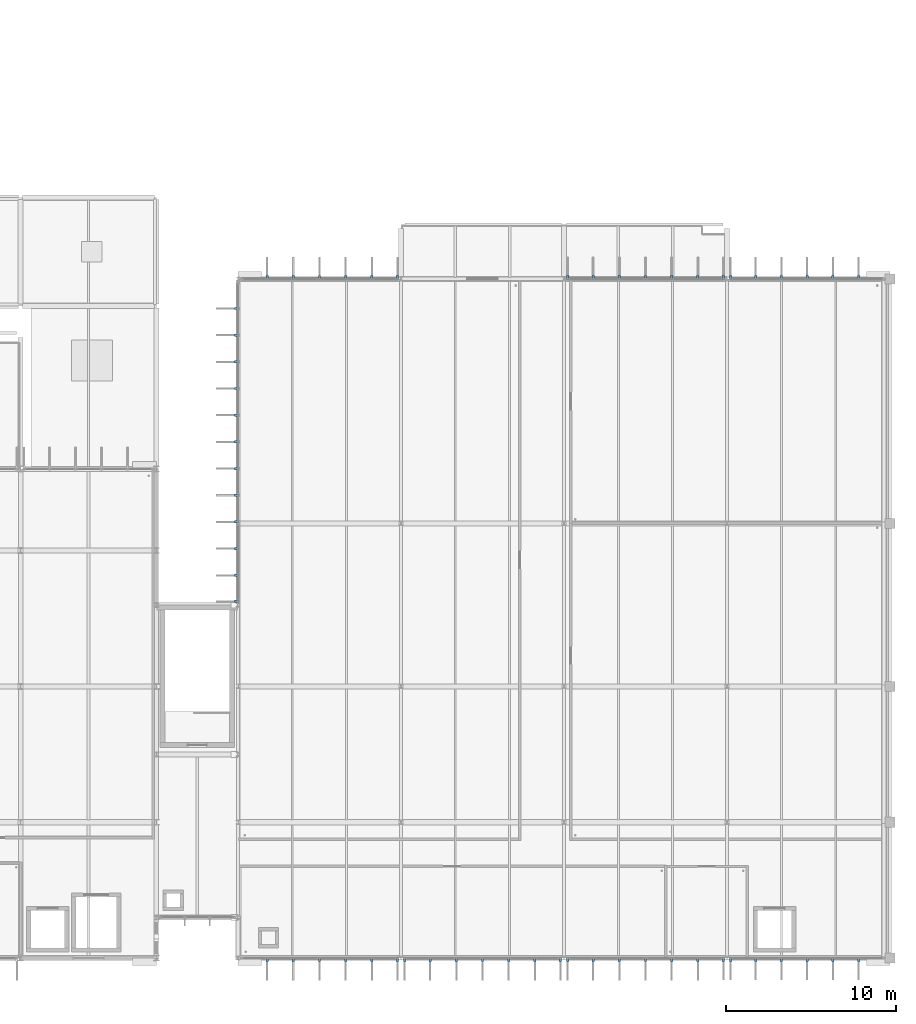
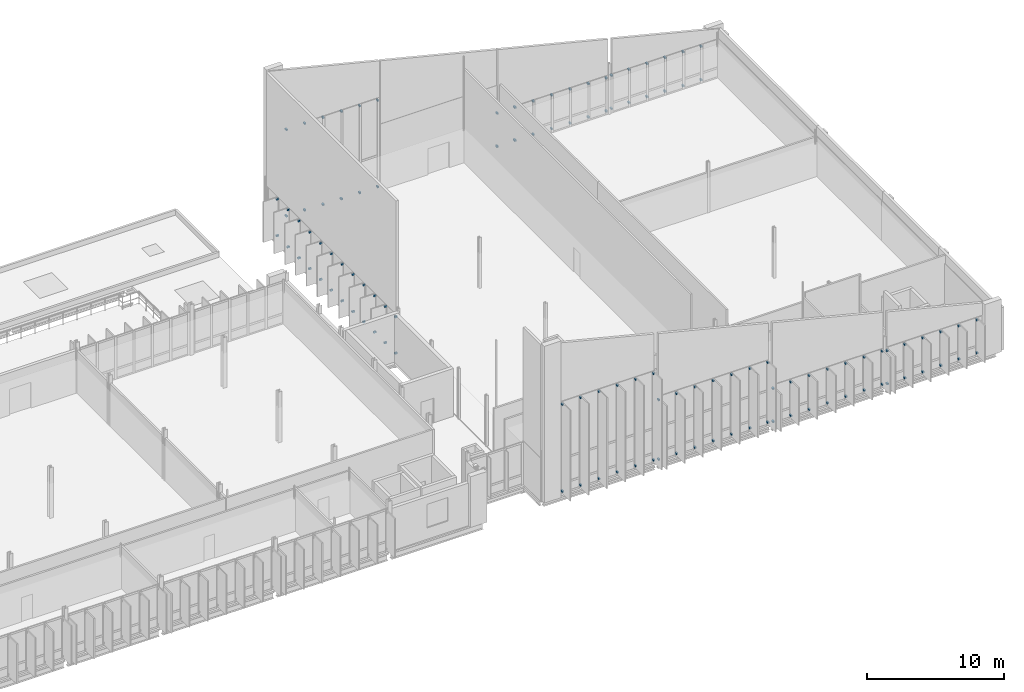
# One storey, part 100 of 110: 114 discrete accessories.
"""IFC4 building model written with IfcOpenShell, lengths in metres."""

from ifc_helpers import new_model, si_unit, direction, frame, origin, origin_2d, place, context, subcontext, project, spatial, rectangle, extrude, material, type_object, element, save


model = new_model("IFC4")

# Units and contexts
model_context = context("Model", 3, precision=1e-05, world=origin(), true_north=direction((0.0, 1.0)))
body_context = subcontext(model_context, "Body", "Model", "MODEL_VIEW")
ifc_project = project(units=[si_unit("LENGTHUNIT", "METRE"), si_unit("AREAUNIT", "SQUARE_METRE"), si_unit("VOLUMEUNIT", "CUBIC_METRE"), si_unit("PLANEANGLEUNIT", "RADIAN"), si_unit("MASSUNIT", "GRAM", prefix="KILO")], contexts=[model_context])

# Site, building, storey
site_placement = place(None, origin())
site = spatial("IfcSite", under=ifc_project, at=site_placement, CompositionType="ELEMENT")
building_placement = place(site_placement, origin())
building = spatial("IfcBuilding", under=site, at=building_placement, Name="Dunescarp Central Library", CompositionType="ELEMENT")
storey_placement = place(building_placement, frame((0.0, 0.0, 9.60009765625)))
storey = spatial("IfcBuildingStorey", under=building, at=storey_placement, Name="L02", CompositionType="ELEMENT", Elevation=9.60009765625)

# Discrete accessories
ifc_material = material(Name="Stainless steel Grade 316L", Category="steel")
discrete_accessory_type = type_object("IfcDiscreteAccessoryType", Name="ARC-ACC-BRK", PredefinedType="BRACKET", material=ifc_material)
for number, where, z_axis, x_axis, name in (
    (1, (138.985107421875, 4.719970703125, 0.27685546875), (0.0, 0.0, 1.0), (0.0, -1.0, 0.0), "Fin bracket BRK-FIN-L02-1030-B"),
    (2, (138.985107421875, 4.719970703125, 7.9697265625), (0.0, 0.0, 1.0), (0.0, -1.0, 0.0), "Fin bracket BRK-FIN-L02-1030-T"),
    (3, (137.48291015625, 4.719970703125, 0.2900390625), (0.0, 0.0, 1.0), (0.0, -1.0, 0.0), "Fin bracket BRK-FIN-L02-1031-B"),
    (4, (137.48291015625, 4.719970703125, 7.9697265625), (0.0, 0.0, 1.0), (0.0, -1.0, 0.0), "Fin bracket BRK-FIN-L02-1031-T"),
    (5, (135.94189453125, 4.719970703125, 0.27392578125), (0.0, 0.0, 1.0), (0.0, -1.0, 0.0), "Fin bracket BRK-FIN-L02-1032-B"),
    (6, (135.94189453125, 4.719970703125, 7.9697265625), (0.0, 0.0, 1.0), (0.0, -1.0, 0.0), "Fin bracket BRK-FIN-L02-1032-T"),
    (7, (134.39990234375, 4.719970703125, 0.23291015625), (0.0, 0.0, 1.0), (0.0, -1.0, 0.0), "Fin bracket BRK-FIN-L02-1033-B"),
    (8, (134.39990234375, 4.719970703125, 7.9697265625), (0.0, 0.0, 1.0), (0.0, -1.0, 0.0), "Fin bracket BRK-FIN-L02-1033-T"),
    (9, (132.85791015625, 4.719970703125, 0.18994140625), (0.0, 0.0, 1.0), (0.0, -1.0, 0.0), "Fin bracket BRK-FIN-L02-1034-B"),
    (10, (132.85791015625, 4.719970703125, 7.958984375), (0.0, 0.0, 1.0), (0.0, -1.0, 0.0), "Fin bracket BRK-FIN-L02-1034-T"),
    (11, (131.31689453125, 4.719970703125, 0.18994140625), (0.0, 0.0, 1.0), (0.0, -1.0, 0.0), "Fin bracket BRK-FIN-L02-1035-B"),
    (12, (131.31689453125, 4.719970703125, 7.9091796875), (0.0, 0.0, 1.0), (0.0, -1.0, 0.0), "Fin bracket BRK-FIN-L02-1035-T"),
    (13, (148.5849609375, 4.719970703125, 0.27685546875), (0.0, 0.0, 1.0), (0.0, -1.0, 0.0), "Fin bracket BRK-FIN-L02-1036-B"),
    (14, (148.5849609375, 4.719970703125, 5.56982421875), (0.0, 0.0, 1.0), (0.0, -1.0, 0.0), "Fin bracket BRK-FIN-L02-1036-T"),
    (15, (147.0830078125, 4.719970703125, 0.2900390625), (0.0, 0.0, 1.0), (0.0, -1.0, 0.0), "Fin bracket BRK-FIN-L02-1037-B"),
    (16, (147.0830078125, 4.719970703125, 5.56982421875), (0.0, 0.0, 1.0), (0.0, -1.0, 0.0), "Fin bracket BRK-FIN-L02-1037-T"),
    (17, (145.5419921875, 4.719970703125, 0.27392578125), (0.0, 0.0, 1.0), (0.0, -1.0, 0.0), "Fin bracket BRK-FIN-L02-1038-B"),
    (18, (145.5419921875, 4.719970703125, 5.56982421875), (0.0, 0.0, 1.0), (0.0, -1.0, 0.0), "Fin bracket BRK-FIN-L02-1038-T"),
    (19, (144.0, 4.719970703125, 0.23291015625), (0.0, 0.0, 1.0), (0.0, -1.0, 0.0), "Fin bracket BRK-FIN-L02-1039-B"),
    (20, (144.0, 4.719970703125, 5.56982421875), (0.0, 0.0, 1.0), (0.0, -1.0, 0.0), "Fin bracket BRK-FIN-L02-1039-T"),
    (21, (142.4580078125, 4.719970703125, 0.18994140625), (0.0, 0.0, 1.0), (0.0, -1.0, 0.0), "Fin bracket BRK-FIN-L02-1040-B"),
    (22, (142.4580078125, 4.719970703125, 5.55908203125), (0.0, 0.0, 1.0), (0.0, -1.0, 0.0), "Fin bracket BRK-FIN-L02-1040-T"),
    (23, (140.9169921875, 4.719970703125, 0.18994140625), (0.0, 0.0, 1.0), (0.0, -1.0, 0.0), "Fin bracket BRK-FIN-L02-1041-B"),
    (24, (140.9169921875, 4.719970703125, 5.5087890625), (0.0, 0.0, 1.0), (0.0, -1.0, 0.0), "Fin bracket BRK-FIN-L02-1041-T"),
    (25, (139.4150390625, 4.719970703125, 0.18994140625), (0.0, 0.0, 1.0), (0.0, -1.0, 0.0), "Fin bracket BRK-FIN-L02-1042-B"),
    (26, (139.4150390625, 4.719970703125, 5.47607421875), (0.0, 0.0, 1.0), (0.0, -1.0, 0.0), "Fin bracket BRK-FIN-L02-1042-T"),
    (27, (158.18505859375, 4.719970703125, 0.27685546875), (0.0, 0.0, 1.0), (0.0, -1.0, 0.0), "Fin bracket BRK-FIN-L02-1043-B"),
    (28, (158.18505859375, 4.719970703125, 3.2197265625), (0.0, 0.0, 1.0), (0.0, -1.0, 0.0), "Fin bracket BRK-FIN-L02-1043-T"),
    (29, (156.68310546875, 4.719970703125, 0.2900390625), (0.0, 0.0, 1.0), (0.0, -1.0, 0.0), "Fin bracket BRK-FIN-L02-1044-B"),
    (30, (156.68310546875, 4.719970703125, 3.2197265625), (0.0, 0.0, 1.0), (0.0, -1.0, 0.0), "Fin bracket BRK-FIN-L02-1044-T"),
    (31, (155.14208984375, 4.719970703125, 0.27392578125), (0.0, 0.0, 1.0), (0.0, -1.0, 0.0), "Fin bracket BRK-FIN-L02-1045-B"),
    (32, (155.14208984375, 4.719970703125, 3.2197265625), (0.0, 0.0, 1.0), (0.0, -1.0, 0.0), "Fin bracket BRK-FIN-L02-1045-T"),
    (33, (153.60009765625, 4.719970703125, 0.23291015625), (0.0, 0.0, 1.0), (0.0, -1.0, 0.0), "Fin bracket BRK-FIN-L02-1046-B"),
    (34, (153.60009765625, 4.719970703125, 3.2197265625), (0.0, 0.0, 1.0), (0.0, -1.0, 0.0), "Fin bracket BRK-FIN-L02-1046-T"),
    (35, (152.05810546875, 4.719970703125, 0.18994140625), (0.0, 0.0, 1.0), (0.0, -1.0, 0.0), "Fin bracket BRK-FIN-L02-1047-B"),
    (36, (152.05810546875, 4.719970703125, 3.208984375), (0.0, 0.0, 1.0), (0.0, -1.0, 0.0), "Fin bracket BRK-FIN-L02-1047-T"),
    (37, (150.51708984375, 4.719970703125, 0.18994140625), (0.0, 0.0, 1.0), (0.0, -1.0, 0.0), "Fin bracket BRK-FIN-L02-1048-B"),
    (38, (150.51708984375, 4.719970703125, 3.1591796875), (0.0, 0.0, 1.0), (0.0, -1.0, 0.0), "Fin bracket BRK-FIN-L02-1048-T"),
    (39, (149.014892578125, 4.719970703125, 0.18994140625), (0.0, 0.0, 1.0), (0.0, -1.0, 0.0), "Fin bracket BRK-FIN-L02-1049-B"),
    (40, (149.014892578125, 4.719970703125, 3.1259765625), (0.0, 0.0, 1.0), (0.0, -1.0, 0.0), "Fin bracket BRK-FIN-L02-1049-T"),
    (41, (166.14990234375, 4.719970703125, 0.2900390625), (0.0, 0.0, 1.0), (0.0, -1.0, 0.0), "Fin bracket BRK-FIN-L02-1050-B"),
    (42, (166.14990234375, 4.719970703125, 3.2197265625), (0.0, 0.0, 1.0), (0.0, -1.0, 0.0), "Fin bracket BRK-FIN-L02-1050-T"),
    (43, (164.635009765625, 4.719970703125, 0.27392578125), (0.0, 0.0, 1.0), (0.0, -1.0, 0.0), "Fin bracket BRK-FIN-L02-1051-B"),
    (44, (164.635009765625, 4.719970703125, 3.2197265625), (0.0, 0.0, 1.0), (0.0, -1.0, 0.0), "Fin bracket BRK-FIN-L02-1051-T"),
    (45, (163.1201171875, 4.719970703125, 0.23291015625), (0.0, 0.0, 1.0), (0.0, -1.0, 0.0), "Fin bracket BRK-FIN-L02-1052-B"),
    (46, (163.1201171875, 4.719970703125, 3.2197265625), (0.0, 0.0, 1.0), (0.0, -1.0, 0.0), "Fin bracket BRK-FIN-L02-1052-T"),
    (47, (161.60498046875, 4.719970703125, 0.18994140625), (0.0, 0.0, 1.0), (0.0, -1.0, 0.0), "Fin bracket BRK-FIN-L02-1053-B"),
    (48, (161.60498046875, 4.719970703125, 3.208984375), (0.0, 0.0, 1.0), (0.0, -1.0, 0.0), "Fin bracket BRK-FIN-L02-1053-T"),
    (49, (160.090087890625, 4.719970703125, 0.18994140625), (0.0, 0.0, 1.0), (0.0, -1.0, 0.0), "Fin bracket BRK-FIN-L02-1054-B"),
    (50, (160.090087890625, 4.719970703125, 3.1591796875), (0.0, 0.0, 1.0), (0.0, -1.0, 0.0), "Fin bracket BRK-FIN-L02-1054-T"),
    (51, (158.614990234375, 4.719970703125, 0.18994140625), (0.0, 0.0, 1.0), (0.0, -1.0, 0.0), "Fin bracket BRK-FIN-L02-1055-B"),
    (52, (158.614990234375, 4.719970703125, 3.1259765625), (0.0, 0.0, 1.0), (0.0, -1.0, 0.0), "Fin bracket BRK-FIN-L02-1055-T"),
    (53, (131.31689453125, 44.8798828125, 0.2900390625), (0.0, 0.0, 1.0), (0.0, 1.0, 0.0), "Fin bracket BRK-FIN-L02-1056-B"),
    (54, (131.31689453125, 44.8798828125, 7.9697265625), (0.0, 0.0, 1.0), (0.0, 1.0, 0.0), "Fin bracket BRK-FIN-L02-1056-T"),
    (55, (132.85791015625, 44.8798828125, 0.27392578125), (0.0, 0.0, 1.0), (0.0, 1.0, 0.0), "Fin bracket BRK-FIN-L02-1057-B"),
    (56, (132.85791015625, 44.8798828125, 7.9697265625), (0.0, 0.0, 1.0), (0.0, 1.0, 0.0), "Fin bracket BRK-FIN-L02-1057-T"),
    (57, (134.39990234375, 44.8798828125, 0.23291015625), (0.0, 0.0, 1.0), (0.0, 1.0, 0.0), "Fin bracket BRK-FIN-L02-1058-B"),
    (58, (134.39990234375, 44.8798828125, 7.9697265625), (0.0, 0.0, 1.0), (0.0, 1.0, 0.0), "Fin bracket BRK-FIN-L02-1058-T"),
    (59, (135.94189453125, 44.8798828125, 0.18994140625), (0.0, 0.0, 1.0), (0.0, 1.0, 0.0), "Fin bracket BRK-FIN-L02-1059-B"),
    (60, (135.94189453125, 44.8798828125, 7.958984375), (0.0, 0.0, 1.0), (0.0, 1.0, 0.0), "Fin bracket BRK-FIN-L02-1059-T"),
    (61, (137.48291015625, 44.8798828125, 0.18994140625), (0.0, 0.0, 1.0), (0.0, 1.0, 0.0), "Fin bracket BRK-FIN-L02-1060-B"),
    (62, (137.48291015625, 44.8798828125, 7.9091796875), (0.0, 0.0, 1.0), (0.0, 1.0, 0.0), "Fin bracket BRK-FIN-L02-1060-T"),
    (63, (138.985107421875, 44.8798828125, 0.18994140625), (0.0, 0.0, 1.0), (0.0, 1.0, 0.0), "Fin bracket BRK-FIN-L02-1061-B"),
    (64, (138.985107421875, 44.8798828125, 7.8759765625), (0.0, 0.0, 1.0), (0.0, 1.0, 0.0), "Fin bracket BRK-FIN-L02-1061-T"),
    (65, (149.014892578125, 44.8798828125, 0.27685546875), (0.0, 0.0, 1.0), (0.0, 1.0, 0.0), "Fin bracket BRK-FIN-L02-1062-B"),
    (66, (149.014892578125, 44.8798828125, 3.2197265625), (0.0, 0.0, 1.0), (0.0, 1.0, 0.0), "Fin bracket BRK-FIN-L02-1062-T"),
    (67, (150.51708984375, 44.8798828125, 0.2900390625), (0.0, 0.0, 1.0), (0.0, 1.0, 0.0), "Fin bracket BRK-FIN-L02-1063-B"),
    (68, (150.51708984375, 44.8798828125, 3.2197265625), (0.0, 0.0, 1.0), (0.0, 1.0, 0.0), "Fin bracket BRK-FIN-L02-1063-T"),
    (69, (152.05810546875, 44.8798828125, 0.27392578125), (0.0, 0.0, 1.0), (0.0, 1.0, 0.0), "Fin bracket BRK-FIN-L02-1064-B"),
    (70, (152.05810546875, 44.8798828125, 3.2197265625), (0.0, 0.0, 1.0), (0.0, 1.0, 0.0), "Fin bracket BRK-FIN-L02-1064-T"),
    (71, (153.60009765625, 44.8798828125, 0.23291015625), (0.0, 0.0, 1.0), (0.0, 1.0, 0.0), "Fin bracket BRK-FIN-L02-1065-B"),
    (72, (153.60009765625, 44.8798828125, 3.2197265625), (0.0, 0.0, 1.0), (0.0, 1.0, 0.0), "Fin bracket BRK-FIN-L02-1065-T"),
    (73, (155.14208984375, 44.8798828125, 0.18994140625), (0.0, 0.0, 1.0), (0.0, 1.0, 0.0), "Fin bracket BRK-FIN-L02-1066-B"),
    (74, (155.14208984375, 44.8798828125, 3.208984375), (0.0, 0.0, 1.0), (0.0, 1.0, 0.0), "Fin bracket BRK-FIN-L02-1066-T"),
    (75, (156.68310546875, 44.8798828125, 0.18994140625), (0.0, 0.0, 1.0), (0.0, 1.0, 0.0), "Fin bracket BRK-FIN-L02-1067-B"),
    (76, (156.68310546875, 44.8798828125, 3.1591796875), (0.0, 0.0, 1.0), (0.0, 1.0, 0.0), "Fin bracket BRK-FIN-L02-1067-T"),
    (77, (158.18505859375, 44.8798828125, 0.18994140625), (0.0, 0.0, 1.0), (0.0, 1.0, 0.0), "Fin bracket BRK-FIN-L02-1068-B"),
    (78, (158.18505859375, 44.8798828125, 3.1259765625), (0.0, 0.0, 1.0), (0.0, 1.0, 0.0), "Fin bracket BRK-FIN-L02-1068-T"),
    (79, (158.614990234375, 44.8798828125, 0.27685546875), (0.0, 0.0, 1.0), (0.0, 1.0, 0.0), "Fin bracket BRK-FIN-L02-1069-B"),
    (80, (158.614990234375, 44.8798828125, 3.2197265625), (0.0, 0.0, 1.0), (0.0, 1.0, 0.0), "Fin bracket BRK-FIN-L02-1069-T"),
    (81, (160.090087890625, 44.8798828125, 0.2900390625), (0.0, 0.0, 1.0), (0.0, 1.0, 0.0), "Fin bracket BRK-FIN-L02-1070-B"),
    (82, (160.090087890625, 44.8798828125, 3.2197265625), (0.0, 0.0, 1.0), (0.0, 1.0, 0.0), "Fin bracket BRK-FIN-L02-1070-T"),
    (83, (161.60498046875, 44.8798828125, 0.27392578125), (0.0, 0.0, 1.0), (0.0, 1.0, 0.0), "Fin bracket BRK-FIN-L02-1071-B"),
    (84, (161.60498046875, 44.8798828125, 3.2197265625), (0.0, 0.0, 1.0), (0.0, 1.0, 0.0), "Fin bracket BRK-FIN-L02-1071-T"),
    (85, (163.1201171875, 44.8798828125, 0.23291015625), (0.0, 0.0, 1.0), (0.0, 1.0, 0.0), "Fin bracket BRK-FIN-L02-1072-B"),
    (86, (163.1201171875, 44.8798828125, 3.2197265625), (0.0, 0.0, 1.0), (0.0, 1.0, 0.0), "Fin bracket BRK-FIN-L02-1072-T"),
    (87, (164.635009765625, 44.8798828125, 0.18994140625), (0.0, 0.0, 1.0), (0.0, 1.0, 0.0), "Fin bracket BRK-FIN-L02-1073-B"),
    (88, (164.635009765625, 44.8798828125, 3.208984375), (0.0, 0.0, 1.0), (0.0, 1.0, 0.0), "Fin bracket BRK-FIN-L02-1073-T"),
    (89, (166.14990234375, 44.8798828125, 0.18994140625), (0.0, 0.0, 1.0), (0.0, 1.0, 0.0), "Fin bracket BRK-FIN-L02-1074-B"),
    (90, (166.14990234375, 44.8798828125, 3.1591796875), (0.0, 0.0, 1.0), (0.0, 1.0, 0.0), "Fin bracket BRK-FIN-L02-1074-T"),
    (91, (129.52001953125, 25.81494140625, 0.27685546875), (0.0, 0.0, 1.0), (-1.0, 0.0, 0.0), "Fin bracket BRK-FIN-L02-1075-B"),
    (92, (129.52001953125, 25.81494140625, 3.51513671875), (0.0, 0.0, 1.0), (-1.0, 0.0, 0.0), "Fin bracket BRK-FIN-L02-1075-T"),
    (93, (129.52001953125, 27.345947265625, 0.2900390625), (0.0, 0.0, 1.0), (-1.0, 0.0, 0.0), "Fin bracket BRK-FIN-L02-1076-B"),
    (94, (129.52001953125, 27.345947265625, 3.51513671875), (0.0, 0.0, 1.0), (-1.0, 0.0, 0.0), "Fin bracket BRK-FIN-L02-1076-T"),
    (95, (129.52001953125, 28.9169921875, 0.27392578125), (0.0, 0.0, 1.0), (-1.0, 0.0, 0.0), "Fin bracket BRK-FIN-L02-1077-B"),
    (96, (129.52001953125, 28.9169921875, 3.51513671875), (0.0, 0.0, 1.0), (-1.0, 0.0, 0.0), "Fin bracket BRK-FIN-L02-1077-T"),
    (97, (129.52001953125, 30.487060546875, 0.23291015625), (0.0, 0.0, 1.0), (-1.0, 0.0, 0.0), "Fin bracket BRK-FIN-L02-1078-B"),
    (98, (129.52001953125, 30.487060546875, 3.51513671875), (0.0, 0.0, 1.0), (-1.0, 0.0, 0.0), "Fin bracket BRK-FIN-L02-1078-T"),
    (99, (129.52001953125, 32.05810546875, 0.18994140625), (0.0, 0.0, 1.0), (-1.0, 0.0, 0.0), "Fin bracket BRK-FIN-L02-1079-B"),
    (100, (129.52001953125, 32.05810546875, 3.50390625), (0.0, 0.0, 1.0), (-1.0, 0.0, 0.0), "Fin bracket BRK-FIN-L02-1079-T"),
    (101, (129.52001953125, 33.62890625, 0.18994140625), (0.0, 0.0, 1.0), (-1.0, 0.0, 0.0), "Fin bracket BRK-FIN-L02-1080-B"),
    (102, (129.52001953125, 33.62890625, 3.4541015625), (0.0, 0.0, 1.0), (-1.0, 0.0, 0.0), "Fin bracket BRK-FIN-L02-1080-T"),
    (103, (129.52001953125, 35.199951171875, 0.18994140625), (0.0, 0.0, 1.0), (-1.0, 0.0, 0.0), "Fin bracket BRK-FIN-L02-1081-B"),
    (104, (129.52001953125, 35.199951171875, 3.4208984375), (0.0, 0.0, 1.0), (-1.0, 0.0, 0.0), "Fin bracket BRK-FIN-L02-1081-T"),
    (105, (129.52001953125, 36.77099609375, 0.18994140625), (0.0, 0.0, 1.0), (-1.0, 0.0, 0.0), "Fin bracket BRK-FIN-L02-1082-B"),
    (106, (129.52001953125, 36.77099609375, 3.4169921875), (0.0, 0.0, 1.0), (-1.0, 0.0, 0.0), "Fin bracket BRK-FIN-L02-1082-T"),
    (107, (129.52001953125, 38.342041015625, 0.18994140625), (0.0, 0.0, 1.0), (-1.0, 0.0, 0.0), "Fin bracket BRK-FIN-L02-1083-B"),
    (108, (129.52001953125, 38.342041015625, 3.44091796875), (0.0, 0.0, 1.0), (-1.0, 0.0, 0.0), "Fin bracket BRK-FIN-L02-1083-T"),
    (109, (129.52001953125, 39.9130859375, 0.18994140625), (0.0, 0.0, 1.0), (-1.0, 0.0, 0.0), "Fin bracket BRK-FIN-L02-1084-B"),
    (110, (129.52001953125, 39.9130859375, 3.48681640625), (0.0, 0.0, 1.0), (-1.0, 0.0, 0.0), "Fin bracket BRK-FIN-L02-1084-T"),
    (111, (129.52001953125, 41.48291015625, 0.2158203125), (0.0, 0.0, 1.0), (-1.0, 0.0, 0.0), "Fin bracket BRK-FIN-L02-1085-B"),
    (112, (129.52001953125, 41.48291015625, 3.51513671875), (0.0, 0.0, 1.0), (-1.0, 0.0, 0.0), "Fin bracket BRK-FIN-L02-1085-T"),
    (113, (129.52001953125, 43.053955078125, 0.26318359375), (0.0, 0.0, 1.0), (-1.0, 0.0, 0.0), "Fin bracket BRK-FIN-L02-1086-B"),
    (114, (129.52001953125, 43.053955078125, 3.51513671875), (0.0, 0.0, 1.0), (-1.0, 0.0, 0.0), "Fin bracket BRK-FIN-L02-1086-T"),
):
    element("IfcDiscreteAccessory", number, at=place(storey_placement, frame(where, z_axis=z_axis, x_axis=x_axis)), inside=storey, type_object=discrete_accessory_type, Name=name, PredefinedType="BRACKET", context=body_context, shape_type="SweptSolid", body=[
        extrude(rectangle(XDim=0.219970703125, YDim=0.139892578125, at=origin_2d()), origin(), (0.0, 0.0, 1.0), 0.139892578125),
    ])

save(model, "model.ifc")
